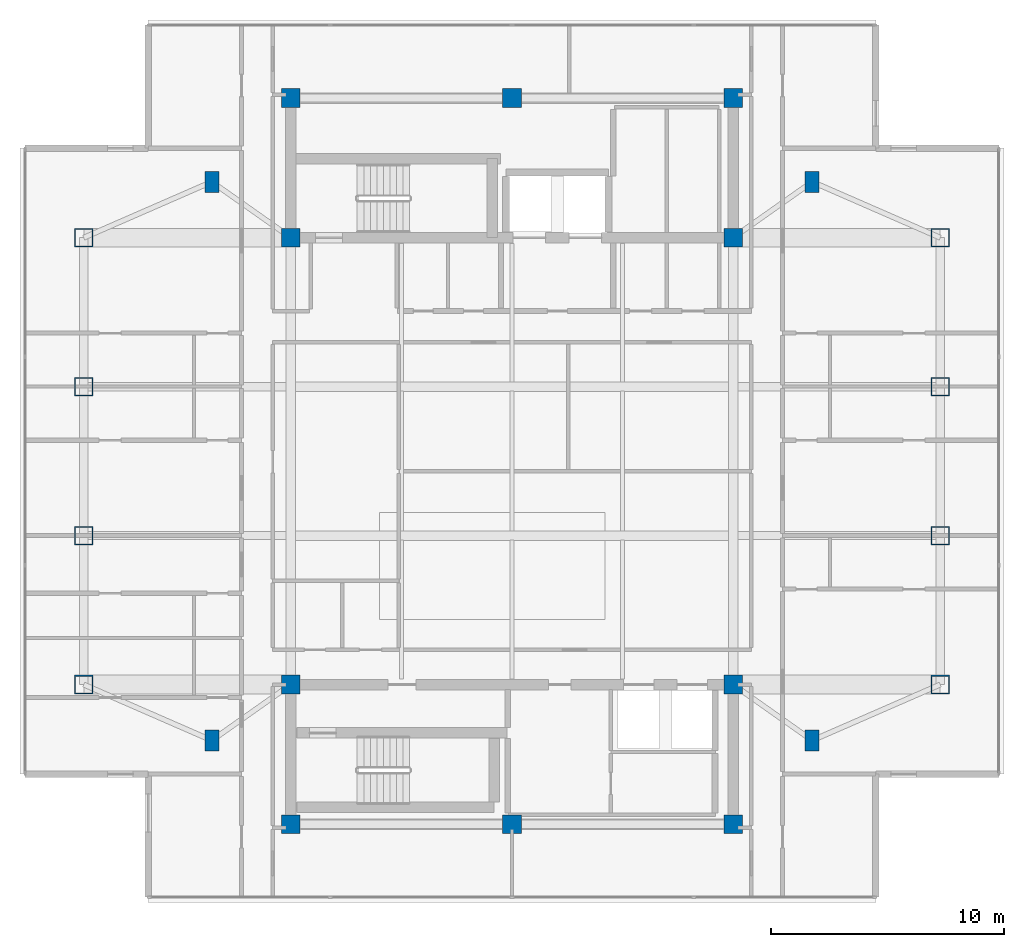
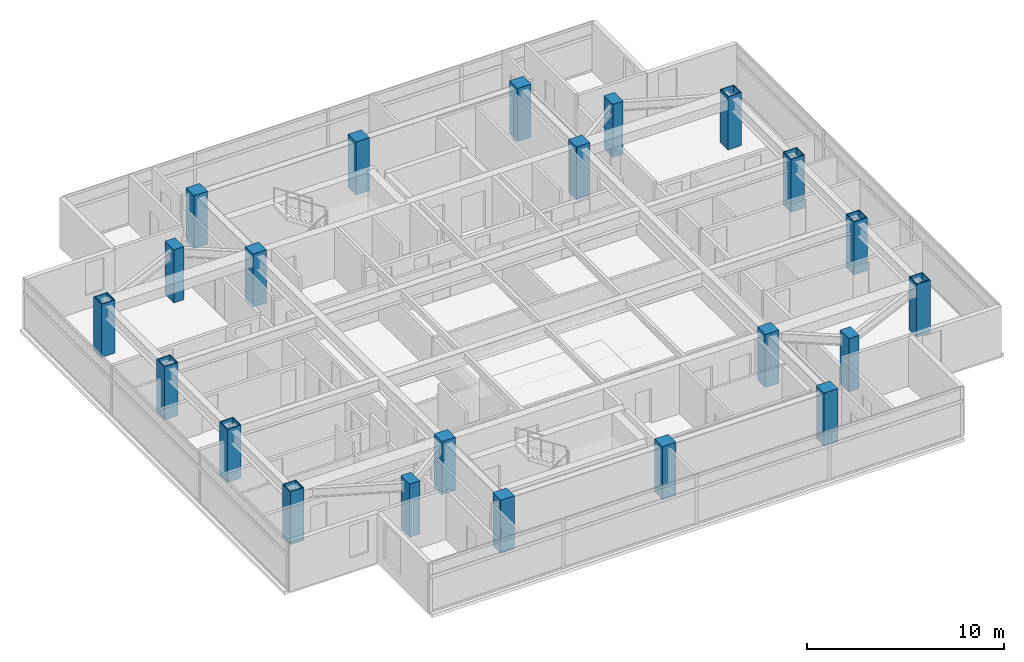
# One storey, part 1 of 15: 22 columns.
"""IFC4 building model written with IfcOpenShell, lengths in metres."""

from ifc_helpers import new_model, si_unit, direction, frame, origin, origin_2d, place, context, subcontext, project, spatial, rectangle, hollow_rectangle, extrude, material, material_profile, profile_set, type_object, element, save


model = new_model("IFC4")

# Units and contexts
model_context = context("Model", 3, precision=1e-05, world=origin(), true_north=direction((0.0, 1.0)))
body_context = subcontext(model_context, "Body", "Model", "MODEL_VIEW")
ifc_project = project(units=[si_unit("LENGTHUNIT", "METRE"), si_unit("AREAUNIT", "SQUARE_METRE"), si_unit("VOLUMEUNIT", "CUBIC_METRE"), si_unit("PLANEANGLEUNIT", "RADIAN"), si_unit("MASSUNIT", "GRAM", prefix="KILO")], contexts=[model_context])

# Site, building, storey
site_placement = place(None, origin())
site = spatial("IfcSite", under=ifc_project, at=site_placement, CompositionType="ELEMENT")
building_placement = place(site_placement, origin())
building = spatial("IfcBuilding", under=site, at=building_placement, Name="Mirazonda Arch Towers", CompositionType="ELEMENT")
storey_placement = place(building_placement, frame((0.0, 0.0, 229.300048828125)))
storey = spatial("IfcBuildingStorey", under=building, at=storey_placement, Name="L65", CompositionType="ELEMENT", Elevation=229.300048828125)

# Columns
ifc_material_1 = material(Name="Concrete C50/60", Category="concrete")
ifc_material_profile_1 = material_profile(ifc_material_1, rectangle(XDim=0.800048828125, YDim=0.800048828125, at=origin_2d()), Name="RC800x800")
ifc_profile_set_1 = profile_set([ifc_material_profile_1], Name="Concrete C50/60")
column_type_1 = type_object("IfcColumnType", Name="COL-INT-RC800x800", PredefinedType="COLUMN", material=ifc_profile_set_1)
for number, where, z_axis, x_axis, name in (
    (1, (11.0, 12.39990234375, 0.0), (0.0, 0.0, 1.0), (1.0, 0.0, 0.0), "L65 T1 Core Column 01"),
    (2, (20.5, 12.39990234375, 0.0), (0.0, 0.0, 1.0), (1.0, 0.0, 0.0), "L65 T1 Core Column 02"),
    (3, (30.0, 12.39990234375, 0.0), (0.0, 0.0, 1.0), (1.0, 0.0, 0.0), "L65 T1 Core Column 03"),
    (4, (11.0, 18.39990234375, 0.0), (0.0, 0.0, 1.0), (1.0, 0.0, 0.0), "L65 T1 Core Column 04"),
    (5, (30.0, 18.39990234375, 0.0), (0.0, 0.0, 1.0), (1.0, 0.0, 0.0), "L65 T1 Core Column 05"),
    (6, (11.0, 37.60009765625, 0.0), (0.0, 0.0, 1.0), (1.0, 0.0, 0.0), "L65 T1 Core Column 06"),
    (7, (30.0, 37.60009765625, 0.0), (0.0, 0.0, 1.0), (1.0, 0.0, 0.0), "L65 T1 Core Column 07"),
    (8, (11.0, 43.60009765625, 0.0), (0.0, 0.0, 1.0), (1.0, 0.0, 0.0), "L65 T1 Core Column 08"),
    (9, (20.5, 43.60009765625, 0.0), (0.0, 0.0, 1.0), (1.0, 0.0, 0.0), "L65 T1 Core Column 09"),
    (10, (30.0, 43.60009765625, 0.0), (0.0, 0.0, 1.0), (1.0, 0.0, 0.0), "L65 T1 Core Column 10"),
):
    element("IfcColumn", number, at=place(storey_placement, frame(where, z_axis=z_axis, x_axis=x_axis)), inside=storey, type_object=column_type_1, Name=name, PredefinedType="COLUMN", context=body_context, shape_type="SweptSolid", body=[
        extrude(rectangle(XDim=0.800048828125, YDim=0.800048828125, at=origin_2d()), origin(), (0.0, 0.0, 1.0), 3.300048828125),
    ])
ifc_material_2 = material(Name="Steel ASTM A572 Grade 50", Category="steel")
ifc_material_profile_2 = material_profile(ifc_material_2, hollow_rectangle(XDim=0.800048828125, YDim=0.800048828125, WallThickness=0.044921875, at=origin_2d()), Name="BOX800x800x45")
ifc_profile_set_2 = profile_set([ifc_material_profile_2], Name="Steel ASTM A572 Grade 50")
column_type_2 = type_object("IfcColumnType", Name="MCOL-EXT-BOX800x800x45", PredefinedType="COLUMN", material=ifc_profile_set_2)
for number, where, z_axis, x_axis, name in (
    (11, (2.10009765625, 18.39990234375, 0.0), (0.0, 0.0, 1.0), (1.0, 0.0, 0.0), "L65 T1 Composite Mega-Column 01"),
    (12, (2.10009765625, 24.800048828125, 0.0), (0.0, 0.0, 1.0), (1.0, 0.0, 0.0), "L65 T1 Composite Mega-Column 02"),
    (13, (2.10009765625, 31.199951171875, 0.0), (0.0, 0.0, 1.0), (1.0, 0.0, 0.0), "L65 T1 Composite Mega-Column 03"),
    (14, (2.10009765625, 37.60009765625, 0.0), (0.0, 0.0, 1.0), (1.0, 0.0, 0.0), "L65 T1 Composite Mega-Column 04"),
    (15, (38.89990234375, 18.39990234375, 0.0), (0.0, 0.0, 1.0), (1.0, 0.0, 0.0), "L65 T1 Composite Mega-Column 05"),
    (16, (38.89990234375, 24.800048828125, 0.0), (0.0, 0.0, 1.0), (1.0, 0.0, 0.0), "L65 T1 Composite Mega-Column 06"),
    (17, (38.89990234375, 31.199951171875, 0.0), (0.0, 0.0, 1.0), (1.0, 0.0, 0.0), "L65 T1 Composite Mega-Column 07"),
    (18, (38.89990234375, 37.60009765625, 0.0), (0.0, 0.0, 1.0), (1.0, 0.0, 0.0), "L65 T1 Composite Mega-Column 08"),
):
    element("IfcColumn", number, at=place(storey_placement, frame(where, z_axis=z_axis, x_axis=x_axis)), inside=storey, type_object=column_type_2, Name=name, PredefinedType="COLUMN", context=body_context, shape_type="SweptSolid", body=[
        extrude(hollow_rectangle(XDim=0.800048828125, YDim=0.800048828125, WallThickness=0.044921875, at=origin_2d()), origin(), (0.0, 0.0, 1.0), 3.300048828125),
    ])
ifc_material_profile_3 = material_profile(ifc_material_1, rectangle(XDim=0.60009765625, YDim=0.89990234375, at=origin_2d()), Name="RC900x600")
ifc_profile_set_3 = profile_set([ifc_material_profile_3], Name="Concrete C50/60")
column_type_3 = type_object("IfcColumnType", Name="PIL-EXT-RC900x600", PredefinedType="PILASTER", material=ifc_profile_set_3)
for number, where, z_axis, x_axis, name in (
    (19, (7.60009765625, 16.0, 0.0), (0.0, 0.0, 1.0), (1.0, 0.0, 0.0), "L65 T1 Corner Pilaster 01"),
    (20, (33.39990234375, 16.0, 0.0), (0.0, 0.0, 1.0), (1.0, 0.0, 0.0), "L65 T1 Corner Pilaster 02"),
    (21, (7.60009765625, 40.0, 0.0), (0.0, 0.0, 1.0), (1.0, 0.0, 0.0), "L65 T1 Corner Pilaster 03"),
    (22, (33.39990234375, 40.0, 0.0), (0.0, 0.0, 1.0), (1.0, 0.0, 0.0), "L65 T1 Corner Pilaster 04"),
):
    element("IfcColumn", number, at=place(storey_placement, frame(where, z_axis=z_axis, x_axis=x_axis)), inside=storey, type_object=column_type_3, Name=name, PredefinedType="PILASTER", context=body_context, shape_type="SweptSolid", body=[
        extrude(rectangle(XDim=0.60009765625, YDim=0.89990234375, at=origin_2d()), origin(), (0.0, 0.0, 1.0), 3.300048828125),
    ])

save(model, "model.ifc")
